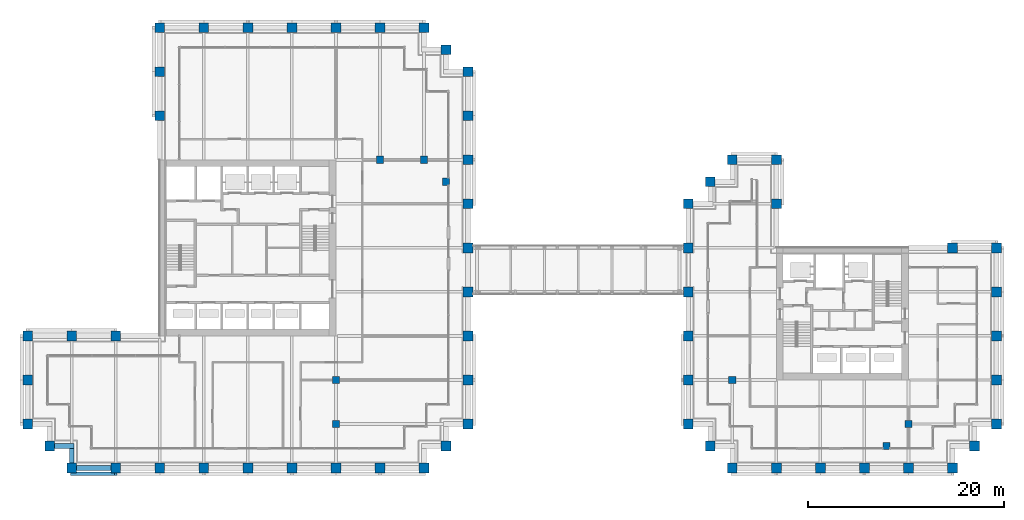
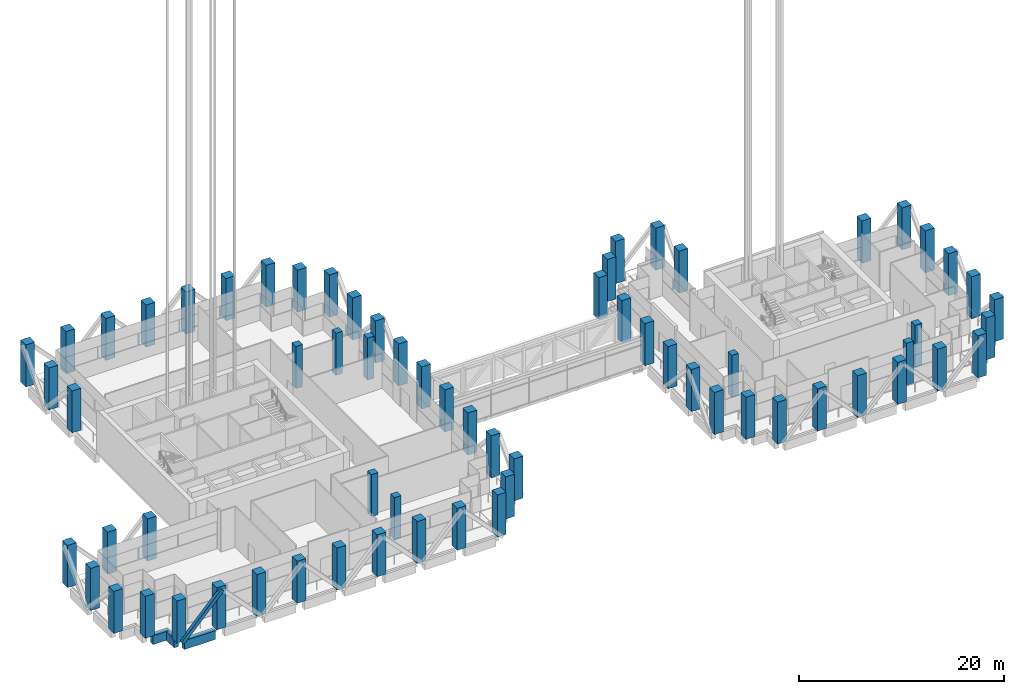
# One storey, part 1 of 48: 67 columns, 3 beams, 1 member.
"""IFC4 building model written with IfcOpenShell, lengths in metres."""

import ifcopenshell
import ifcopenshell.guid

model = None  # the IFC model being written
_history = None  # IfcOwnerHistory: only IFC2X3 demands one
_inside = {}  # id of a spatial element -> (the spatial element, [elements in it])
_under = {}  # id of a project, library or spatial element -> (it, [spatial elements below it])
_declared = {}  # id of a project -> (the project, [libraries it declares])
_typed = {}  # id of a type object -> (the type object, [elements of that type])
_made_of = {}  # id of a material, layer set ... -> (it, [elements and type objects made of it])


def new_model(schema):
    """Start an empty IFC model of exactly this schema.

    Asked for "IFC4X3", IfcOpenShell would pick the latest addendum, in which some entities
    have other attributes; the version numbers below select the first issue.
    IFC2X3 requires an IfcOwnerHistory on every rooted entity: one is made here for all.
    """
    global model, _history
    if schema == "IFC4X3":
        model = ifcopenshell.file(schema_version=(4, 3, 0, 0))
    else:
        model = ifcopenshell.file(schema=schema)
    _inside.clear()
    _under.clear()
    _declared.clear()
    _typed.clear()
    _made_of.clear()
    _history = None
    if model.schema == "IFC2X3":
        org = make("IfcOrganization", Name="unknown")
        user = make(
            "IfcPersonAndOrganization",
            ThePerson=make("IfcPerson", FamilyName="unknown"),
            TheOrganization=org,
        )
        app = make(
            "IfcApplication",
            ApplicationDeveloper=org,
            Version="unknown",
            ApplicationFullName="unknown",
            ApplicationIdentifier="unknown",
        )
        _history = make(
            "IfcOwnerHistory",
            OwningUser=user,
            OwningApplication=app,
            ChangeAction="ADDED",
            CreationDate=0,
        )
    return model


def make(cls, **values):
    """One entity of the class cls with the attributes given. An attribute that is None is left unset."""
    return model.create_entity(
        cls, **{name: value for name, value in values.items() if value is not None}
    )


def rooted(cls, **values):
    """An entity with a GlobalId (a new one), such as an element, a storey or a relation."""
    return make(cls, GlobalId=ifcopenshell.guid.new(), OwnerHistory=_history, **values)


def si_unit(unit_type, name, prefix=None):
    """IfcSIUnit, for example si_unit("LENGTHUNIT", "METRE", prefix="MILLI")."""
    return make("IfcSIUnit", UnitType=unit_type, Prefix=prefix, Name=name)


def assignment(units):
    """IfcUnitAssignment: the units of a project."""
    return None if units is None else make("IfcUnitAssignment", Units=units)


def point(xyz):
    """IfcCartesianPoint."""
    return None if xyz is None else make("IfcCartesianPoint", Coordinates=xyz)


def direction(xyz):
    """IfcDirection."""
    return None if xyz is None else make("IfcDirection", DirectionRatios=xyz)


def frame(location, z_axis=None, x_axis=None):
    """IfcAxis2Placement3D, a coordinate frame: its origin and axes. An axis left out is left unset."""
    return make(
        "IfcAxis2Placement3D",
        Location=point(location),
        Axis=direction(z_axis),
        RefDirection=direction(x_axis),
    )


def frame_2d(location, x_axis=None):
    """IfcAxis2Placement2D, a coordinate frame in the plane: its origin and x axis."""
    return make(
        "IfcAxis2Placement2D", Location=point(location), RefDirection=direction(x_axis)
    )


def origin():
    """The frame at (0, 0, 0) with its axes left unset."""
    return frame((0.0, 0.0, 0.0))


def origin_2d():
    """The frame at (0, 0) in the plane with its x axis left unset."""
    return frame_2d((0.0, 0.0))


def place(relative_to, where):
    """IfcLocalPlacement: puts the frame where relative to a parent placement (None: the world)."""
    return make(
        "IfcLocalPlacement", PlacementRelTo=relative_to, RelativePlacement=where
    )


def context(
    kind, dimensions, precision=None, world=None, true_north=None, identifier=None
):
    """IfcGeometricRepresentationContext, for example the 3D "Model" context."""
    return make(
        "IfcGeometricRepresentationContext",
        ContextIdentifier=identifier,
        ContextType=kind,
        CoordinateSpaceDimension=dimensions,
        Precision=precision,
        WorldCoordinateSystem=world,
        TrueNorth=true_north,
    )


def subcontext(parent, identifier, kind, view, scale=None):
    """IfcGeometricRepresentationSubContext, for example "Body" below "Model"."""
    return make(
        "IfcGeometricRepresentationSubContext",
        ContextIdentifier=identifier,
        ContextType=kind,
        ParentContext=parent,
        TargetScale=scale,
        TargetView=view,
    )


def project(units=None, contexts=None):
    """IfcProject with its units and contexts."""
    return rooted(
        "IfcProject",
        Name="project",
        RepresentationContexts=contexts,
        UnitsInContext=assignment(units),
    )


def spatial(cls, under=None, at=None, **own):
    """A site, building, storey or space (cls), placed at a placement, below another one or the project."""
    s = rooted(cls, ObjectPlacement=at, **own)
    if under is not None:
        _under.setdefault(under.id(), (under, []))[1].append(s)
    return s


def profile(cls, at=None, kind="AREA", **sizes):
    """A parametric profile (cls). Its sizes go by their IFC names, for example OverallWidth=200.0."""
    return make(cls, ProfileType=kind, Position=at, **sizes)


def rectangle(**sizes):
    """IfcRectangleProfileDef."""
    return profile("IfcRectangleProfileDef", **sizes)


def hollow_rectangle(**sizes):
    """IfcRectangleHollowProfileDef."""
    return profile("IfcRectangleHollowProfileDef", **sizes)


def extrude(swept, where, along, depth):
    """IfcExtrudedAreaSolid: the profile swept, set in the frame where, extruded along a direction by depth."""
    return make(
        "IfcExtrudedAreaSolid",
        SweptArea=swept,
        Position=where,
        ExtrudedDirection=direction(along),
        Depth=depth,
    )


def shape(context_of_items, identifier, shape_type, items):
    """IfcShapeRepresentation: the items that make up one representation, for example the "Body"."""
    return make(
        "IfcShapeRepresentation",
        ContextOfItems=context_of_items,
        RepresentationIdentifier=identifier,
        RepresentationType=shape_type,
        Items=items,
    )


def material(Name=None, Category=None):
    """IfcMaterial."""
    return make("IfcMaterial", Name=Name, Category=Category)


def material_profile(
    of_material, cross_section, Name=None, Category=None, Priority=None
):
    """IfcMaterialProfile: a cross section and its material."""
    return make(
        "IfcMaterialProfile",
        Name=Name,
        Material=of_material,
        Profile=cross_section,
        Priority=Priority,
        Category=Category,
    )


def profile_set(profiles, Name=None, composite=None):
    """IfcMaterialProfileSet."""
    return make(
        "IfcMaterialProfileSet",
        Name=Name,
        MaterialProfiles=profiles,
        CompositeProfile=composite,
    )


def made_of(thing, what):
    """Note that an element or type object is made of a material, layer set ...; save() writes the relation."""
    if what is not None:
        _made_of.setdefault(what.id(), (what, []))[1].append(thing)
    return thing


def type_object(cls, material=None, **own):
    """A type object (cls), such as IfcWallType, which elements share."""
    return made_of(rooted(cls, **own), material)


def element(
    cls,
    number,
    at=None,
    inside=None,
    cuts=None,
    type_object=None,
    material=None,
    context=None,
    identifier="Body",
    shape_type=None,
    held_by="IfcProductDefinitionShape",
    body=None,
    shapes=None,
    **own,
):
    """One element of the class cls, such as IfcWall. Its Tag is "e" and its number.

    at: its placement. inside: the storey or other place that contains it. cuts: it is an
    opening in that element (IfcRelVoidsElement). A single representation is given by context,
    identifier, shape_type and body (its items); several are given by shapes. held_by: the class
    of the entity that holds the representations. save() writes the other relations.
    """
    e = rooted(cls, Tag="e%d" % number, ObjectPlacement=at, **own)
    if body is not None:
        shapes = [shape(context, identifier, shape_type, body)]
    if shapes is not None:
        e.Representation = make(held_by, Representations=shapes)
    if inside is not None:
        _inside.setdefault(inside.id(), (inside, []))[1].append(e)
    if cuts is not None:
        rooted(
            "IfcRelVoidsElement", RelatingBuildingElement=cuts, RelatedOpeningElement=e
        )
    if type_object is not None:
        _typed.setdefault(type_object.id(), (type_object, []))[1].append(e)
    return made_of(e, material)


def aggregate(whole, parts):
    """IfcRelAggregates: a whole, such as a stair, and the parts it consists of."""
    return rooted("IfcRelAggregates", RelatingObject=whole, RelatedObjects=parts)


def save(model, path):
    """Write the relations noted so far, then the file.

    IfcRelAggregates (storeys below a building ...), IfcRelContainedInSpatialStructure (elements
    in a storey), IfcRelDefinesByType, IfcRelAssociatesMaterial and IfcRelDeclares: one each for
    every whole, place, type object, material and project.
    """
    for whole, parts in _under.values():
        aggregate(whole, parts)
    for where, things in _inside.values():
        rooted(
            "IfcRelContainedInSpatialStructure",
            RelatedElements=things,
            RelatingStructure=where,
        )
    for kind, things in _typed.values():
        rooted("IfcRelDefinesByType", RelatedObjects=things, RelatingType=kind)
    for what, things in _made_of.values():
        rooted("IfcRelAssociatesMaterial", RelatedObjects=things, RelatingMaterial=what)
    for by, libraries in _declared.values():
        rooted("IfcRelDeclares", RelatingContext=by, RelatedDefinitions=libraries)
    model.write(path)


model = new_model("IFC4")

# Units and contexts
model_context = context("Model", 3, precision=1e-05, world=origin(), true_north=direction((0.0, 1.0)))
body_context = subcontext(model_context, "Body", "Model", "MODEL_VIEW")
ifc_project = project(units=[si_unit("LENGTHUNIT", "METRE"), si_unit("AREAUNIT", "SQUARE_METRE"), si_unit("VOLUMEUNIT", "CUBIC_METRE"), si_unit("PLANEANGLEUNIT", "RADIAN"), si_unit("MASSUNIT", "GRAM", prefix="KILO")], contexts=[model_context])

# Site, building, storey
site_placement = place(None, origin())
site = spatial("IfcSite", under=ifc_project, at=site_placement, CompositionType="ELEMENT")
building_placement = place(site_placement, origin())
building = spatial("IfcBuilding", under=site, at=building_placement, Name="Altepetl Exchange Towers", CompositionType="ELEMENT")
storey_placement = place(building_placement, frame((0.0, 0.0, 138.800048828125)))
storey = spatial("IfcBuildingStorey", under=building, at=storey_placement, Name="L34 Refuge and sky lobby", CompositionType="ELEMENT", Elevation=138.800048828125)

# Columns
ifc_material_1 = material(Name="Concrete C70/85", Category="concrete")
ifc_material_profile_1 = material_profile(ifc_material_1, rectangle(XDim=0.75, YDim=0.75, at=origin_2d()), Name="750 x 750")
ifc_profile_set_1 = profile_set([ifc_material_profile_1], Name="Concrete C70/85")
column_type_1 = type_object("IfcColumnType", Name="Interior column 750", PredefinedType="COLUMN", material=ifc_profile_set_1)
for number, where, name in (
    (1, (58.5, 31.5, 0.0), "col:A:L34:035"),
    (2, (58.5, 36.0, 0.0), "col:A:L34:036"),
    (3, (63.0, 58.5, 0.0), "col:A:L34:037"),
    (4, (67.5, 58.5, 0.0), "col:A:L34:038"),
    (5, (69.75, 56.25, 0.0), "col:A:L34:039"),
    (6, (99.0, 36.0, 0.0), "col:B:L34:024"),
    (7, (114.75, 29.25, 0.0), "col:B:L34:025"),
    (8, (117.0, 31.5, 0.0), "col:B:L34:026"),
):
    element("IfcColumn", number, at=place(storey_placement, frame(where)), inside=storey, type_object=column_type_1, Name=name, PredefinedType="COLUMN", context=body_context, shape_type="SweptSolid", body=[
        extrude(rectangle(XDim=0.75, YDim=0.75, at=origin_2d()), origin(), (0.0, 0.0, 1.0), 5.0),
    ])
ifc_material_2 = material(Name="Concrete C70/85 precast with cantera amarilla facing", Category="concrete")
ifc_material_profile_2 = material_profile(ifc_material_2, rectangle(XDim=1.0, YDim=1.0, at=origin_2d()), Name="1000 x 1000")
ifc_profile_set_2 = profile_set([ifc_material_profile_2], Name="Concrete C70/85 precast with cantera amarilla facing")
column_type_2 = type_object("IfcColumnType", Name="Perimeter column 1000 cantera amarilla", PredefinedType="COLUMN", material=ifc_profile_set_2)
for number, where, name in (
    (9, (58.5, 27.0, 0.0), "col:A:L34:006"),
    (10, (63.0, 27.0, 0.0), "col:A:L34:007"),
    (11, (67.5, 27.0, 0.0), "col:A:L34:008"),
    (12, (69.75, 29.25, 0.0), "col:A:L34:009"),
    (13, (72.0, 31.5, 0.0), "col:A:L34:010"),
    (14, (72.0, 36.0, 0.0), "col:A:L34:011"),
    (15, (72.0, 40.5, 0.0), "col:A:L34:012"),
    (16, (72.0, 45.0, 0.0), "col:A:L34:013"),
    (17, (72.0, 49.5, 0.0), "col:A:L34:014"),
    (18, (72.0, 54.0, 0.0), "col:A:L34:015"),
    (19, (126.0, 49.5, 0.0), "col:B:L34:011"),
    (20, (121.5, 49.5, 0.0), "col:B:L34:012"),
):
    element("IfcColumn", number, at=place(storey_placement, frame(where)), inside=storey, type_object=column_type_2, Name=name, PredefinedType="COLUMN", context=body_context, shape_type="SweptSolid", body=[
        extrude(rectangle(XDim=1.0, YDim=1.0, at=origin_2d()), origin(), (0.0, 0.0, 1.0), 5.0),
    ])
ifc_material_3 = material(Name="Concrete C70/85 precast with cantera blanca facing", Category="concrete")
ifc_material_profile_3 = material_profile(ifc_material_3, rectangle(XDim=1.0, YDim=1.0, at=origin_2d()), Name="1000 x 1000")
ifc_profile_set_3 = profile_set([ifc_material_profile_3], Name="Concrete C70/85 precast with cantera blanca facing")
column_type_3 = type_object("IfcColumnType", Name="Perimeter column 1000 cantera blanca", PredefinedType="COLUMN", material=ifc_profile_set_3)
for number, where, name in (
    (21, (31.5, 27.0, 0.0), "col:A:L34:000"),
    (22, (36.0, 27.0, 0.0), "col:A:L34:001"),
    (23, (40.5, 27.0, 0.0), "col:A:L34:002"),
    (24, (45.0, 27.0, 0.0), "col:A:L34:003"),
    (25, (49.5, 27.0, 0.0), "col:A:L34:004"),
    (26, (54.0, 27.0, 0.0), "col:A:L34:005"),
    (27, (27.0, 36.0, 0.0), "col:A:L34:032"),
    (28, (27.0, 31.5, 0.0), "col:A:L34:033"),
    (29, (29.25, 29.25, 0.0), "col:A:L34:034"),
    (30, (117.0, 27.0, 0.0), "col:B:L34:004"),
    (31, (121.5, 27.0, 0.0), "col:B:L34:005"),
    (32, (123.75, 29.25, 0.0), "col:B:L34:006"),
    (33, (126.0, 31.5, 0.0), "col:B:L34:007"),
    (34, (126.0, 36.0, 0.0), "col:B:L34:008"),
    (35, (126.0, 40.5, 0.0), "col:B:L34:009"),
    (36, (126.0, 45.0, 0.0), "col:B:L34:010"),
):
    element("IfcColumn", number, at=place(storey_placement, frame(where)), inside=storey, type_object=column_type_3, Name=name, PredefinedType="COLUMN", context=body_context, shape_type="SweptSolid", body=[
        extrude(rectangle(XDim=1.0, YDim=1.0, at=origin_2d()), origin(), (0.0, 0.0, 1.0), 5.0),
    ])
ifc_material_4 = material(Name="Concrete C70/85 precast with cantera rosa facing", Category="concrete")
ifc_material_profile_4 = material_profile(ifc_material_4, rectangle(XDim=1.0, YDim=1.0, at=origin_2d()), Name="1000 x 1000")
ifc_profile_set_4 = profile_set([ifc_material_profile_4], Name="Concrete C70/85 precast with cantera rosa facing")
column_type_4 = type_object("IfcColumnType", Name="Perimeter column 1000 cantera rosa", PredefinedType="COLUMN", material=ifc_profile_set_4)
for number, where, name in (
    (37, (72.0, 58.5, 0.0), "col:A:L34:016"),
    (38, (72.0, 63.0, 0.0), "col:A:L34:017"),
    (39, (72.0, 67.5, 0.0), "col:A:L34:018"),
    (40, (69.75, 69.75, 0.0), "col:A:L34:019"),
    (41, (67.5, 72.0, 0.0), "col:A:L34:020"),
    (42, (63.0, 72.0, 0.0), "col:A:L34:021"),
    (43, (58.5, 72.0, 0.0), "col:A:L34:022"),
    (44, (54.0, 72.0, 0.0), "col:A:L34:023"),
    (45, (49.5, 72.0, 0.0), "col:A:L34:024"),
    (46, (45.0, 72.0, 0.0), "col:A:L34:025"),
    (47, (103.5, 54.0, 0.0), "col:B:L34:013"),
    (48, (103.5, 58.5, 0.0), "col:B:L34:014"),
    (49, (99.0, 58.5, 0.0), "col:B:L34:015"),
    (50, (96.75, 56.25, 0.0), "col:B:L34:016"),
    (51, (94.5, 54.0, 0.0), "col:B:L34:017"),
    (52, (94.5, 49.5, 0.0), "col:B:L34:018"),
    (53, (94.5, 45.0, 0.0), "col:B:L34:019"),
    (54, (94.5, 40.5, 0.0), "col:B:L34:020"),
    (55, (94.5, 36.0, 0.0), "col:B:L34:021"),
):
    element("IfcColumn", number, at=place(storey_placement, frame(where)), inside=storey, type_object=column_type_4, Name=name, PredefinedType="COLUMN", context=body_context, shape_type="SweptSolid", body=[
        extrude(rectangle(XDim=1.0, YDim=1.0, at=origin_2d()), origin(), (0.0, 0.0, 1.0), 5.0),
    ])
ifc_material_5 = material(Name="Concrete C70/85 precast with tezontle facing", Category="concrete")
ifc_material_profile_5 = material_profile(ifc_material_5, rectangle(XDim=1.0, YDim=1.0, at=origin_2d()), Name="1000 x 1000")
ifc_profile_set_5 = profile_set([ifc_material_profile_5], Name="Concrete C70/85 precast with tezontle facing")
column_type_5 = type_object("IfcColumnType", Name="Perimeter column 1000 tezontle", PredefinedType="COLUMN", material=ifc_profile_set_5)
for number, where, name in (
    (56, (40.5, 72.0, 0.0), "col:A:L34:026"),
    (57, (40.5, 67.5, 0.0), "col:A:L34:027"),
    (58, (40.5, 63.0, 0.0), "col:A:L34:028"),
    (59, (36.0, 40.5, 0.0), "col:A:L34:029"),
    (60, (31.5, 40.5, 0.0), "col:A:L34:030"),
    (61, (27.0, 40.5, 0.0), "col:A:L34:031"),
    (62, (99.0, 27.0, 0.0), "col:B:L34:000"),
    (63, (103.5, 27.0, 0.0), "col:B:L34:001"),
    (64, (108.0, 27.0, 0.0), "col:B:L34:002"),
    (65, (112.5, 27.0, 0.0), "col:B:L34:003"),
    (66, (94.5, 31.5, 0.0), "col:B:L34:022"),
    (67, (96.75, 29.25, 0.0), "col:B:L34:023"),
):
    element("IfcColumn", number, at=place(storey_placement, frame(where)), inside=storey, type_object=column_type_5, Name=name, PredefinedType="COLUMN", context=body_context, shape_type="SweptSolid", body=[
        extrude(rectangle(XDim=1.0, YDim=1.0, at=origin_2d()), origin(), (0.0, 0.0, 1.0), 5.0),
    ])

# Member
ifc_material_6 = material(Name="Steel S355", Category="steel")
ifc_material_profile_6 = material_profile(ifc_material_6, hollow_rectangle(XDim=0.406005859375, YDim=0.406005859375, WallThickness=0.014892578125, at=origin_2d()), Name="HSS406X406X15.9")
ifc_profile_set_6 = profile_set([ifc_material_profile_6], Name="Steel S355")
member_type = type_object("IfcMemberType", Name="Belt diagonal HSS406X406X15.9", PredefinedType="BRACE", material=ifc_profile_set_6)
member_placement = place(storey_placement, frame((31.5, 26.419921875, 0.0), z_axis=(0.687744647911, 0.0, 0.725952683906), x_axis=(0.0, 1.0, 0.0)))
element("IfcMember", 68, at=member_placement, inside=storey, type_object=member_type, Name="brc:A:L34:000", PredefinedType="BRACE", context=body_context, shape_type="SweptSolid", body=[
    extrude(hollow_rectangle(XDim=0.406005859375, YDim=0.406005859375, WallThickness=0.014892578125, at=origin_2d()), origin(), (0.0, 0.0, 1.0), 6.543212890625),
])

# Beams
ifc_material_7 = material(Name="Concrete C50/60 precast with cantera blanca facing", Category="concrete")
ifc_material_profile_7 = material_profile(ifc_material_7, rectangle(XDim=0.5, YDim=1.050048828125, at=origin_2d()), Name="500 x 1050")
ifc_profile_set_7 = profile_set([ifc_material_profile_7], Name="Concrete C50/60 precast with cantera blanca facing")
beam_type = type_object("IfcBeamType", Name="Spandrel beam 500x1050 cantera blanca", PredefinedType="SPANDREL", material=ifc_profile_set_7)
beam_1_placement = place(storey_placement, frame((32.0, 27.0, -0.72509765625), z_axis=(1.0, 0.0, 0.0), x_axis=(0.0, 1.0, 0.0)))
element("IfcBeam", 69, at=beam_1_placement, inside=storey, type_object=beam_type, Name="sp:A:L34:000", PredefinedType="SPANDREL", context=body_context, shape_type="SweptSolid", body=[
    extrude(rectangle(XDim=0.5, YDim=1.050048828125, at=origin_2d()), origin(), (0.0, 0.0, 1.0), 3.5),
])
beam_2_placement = place(storey_placement, frame((29.75, 29.25, -0.72509765625), z_axis=(1.0, 0.0, 0.0), x_axis=(0.0, 1.0, 0.0)))
element("IfcBeam", 70, at=beam_2_placement, inside=storey, type_object=beam_type, Name="sp:A:L34:040", PredefinedType="SPANDREL", context=body_context, shape_type="SweptSolid", body=[
    extrude(rectangle(XDim=0.5, YDim=1.050048828125, at=origin_2d()), origin(), (0.0, 0.0, 1.0), 2.0),
])
beam_3_placement = place(storey_placement, frame((31.5, 29.0, -0.72509765625), z_axis=(0.0, -1.0, 0.0), x_axis=(1.0, 0.0, 0.0)))
element("IfcBeam", 71, at=beam_3_placement, inside=storey, type_object=beam_type, Name="sp:A:L34:041", PredefinedType="SPANDREL", context=body_context, shape_type="SweptSolid", body=[
    extrude(rectangle(XDim=0.5, YDim=1.050048828125, at=origin_2d()), origin(), (0.0, 0.0, 1.0), 1.5),
])

save(model, "model.ifc")
